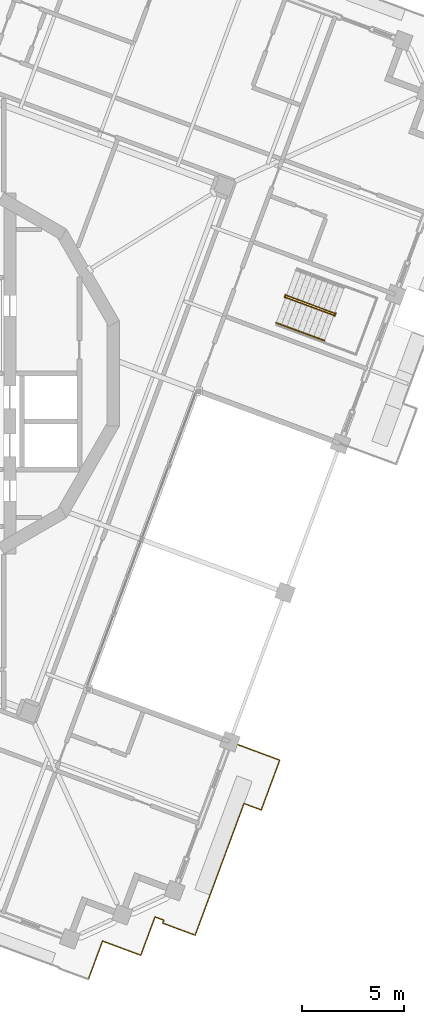
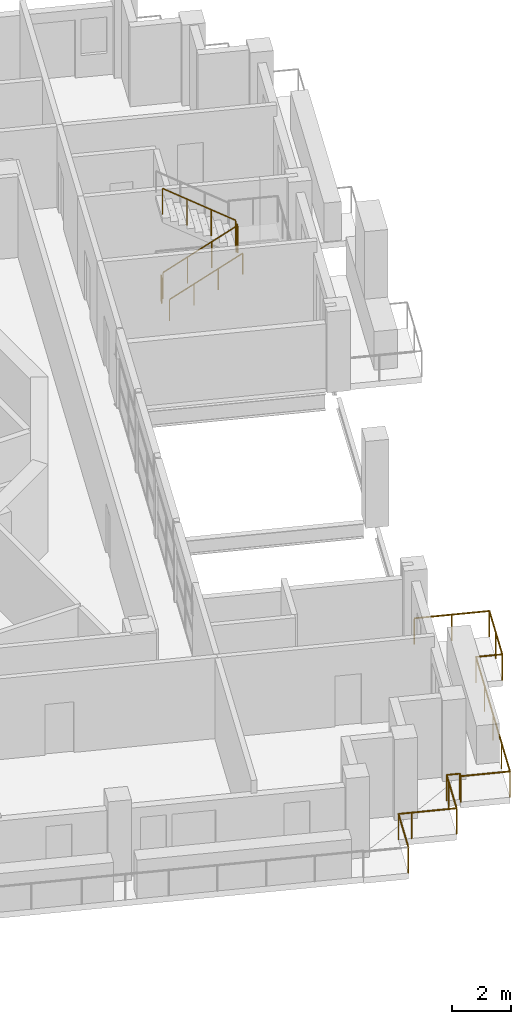
# One storey, part 15 of 19: 5 railings.
"""IFC4 building model written with IfcOpenShell, lengths in metres."""

from ifc_helpers import new_model, si_unit, direction, frame, origin, origin_2d, place, context, subcontext, project, spatial, circle, extrude, material, type_object, element, save


model = new_model("IFC4")

# Units and contexts
model_context = context("Model", 3, precision=1e-05, world=origin(), true_north=direction((0.0, 1.0)))
body_context = subcontext(model_context, "Body", "Model", "MODEL_VIEW")
ifc_project = project(units=[si_unit("LENGTHUNIT", "METRE"), si_unit("AREAUNIT", "SQUARE_METRE"), si_unit("VOLUMEUNIT", "CUBIC_METRE"), si_unit("PLANEANGLEUNIT", "RADIAN"), si_unit("MASSUNIT", "GRAM", prefix="KILO")], contexts=[model_context])

# Site, building, storey
site_placement = place(None, origin())
site = spatial("IfcSite", under=ifc_project, at=site_placement, CompositionType="ELEMENT")
building_placement = place(site_placement, origin())
building = spatial("IfcBuilding", under=site, at=building_placement, Name="Cantera Rosa Tower", CompositionType="ELEMENT")
storey_placement = place(building_placement, frame((0.0, 0.0, 334.89990234375)))
storey = spatial("IfcBuildingStorey", under=building, at=storey_placement, Name="L75", CompositionType="ELEMENT", Elevation=334.89990234375)

# Railings
ifc_material_1 = material(Name="Stainless steel and laminated glass", Category="steel")
railing_type_1 = type_object("IfcRailingType", Name="GUARD 1100", PredefinedType="BALUSTRADE", material=ifc_material_1)
railing_1_placement = place(storey_placement, frame((15.092529296875, -18.038330078125, 0.0)))
element("IfcRailing", 1, at=railing_1_placement, inside=storey, type_object=railing_type_1, Name="GUARD L75-2", PredefinedType="BALUSTRADE", context=body_context, shape_type="SweptSolid", body=[
    extrude(circle(Radius=0.030029296875, at=origin_2d()), frame((0.0, 0.0, 1.070068359375), z_axis=(0.937680398266, -0.347498878713, 0.0), x_axis=(0.347498878713, 0.937680398266, 0.0)), (0.0, 0.0, 1.0), 2.58544921875),
    extrude(circle(Radius=0.030029296875, at=origin_2d()), frame((2.42431640625, -0.8984375, 1.070068359375), z_axis=(-0.347537126159, -0.937666223099, 0.0), x_axis=(0.937666223099, -0.347537126159, 0.0)), (0.0, 0.0, 1.0), 2.60546875),
    extrude(circle(Radius=0.030029296875, at=origin_2d()), frame((1.518798828125, -3.341552734375, 1.070068359375), z_axis=(-0.937641368545, 0.34760417718, 0.0), x_axis=(-0.34760417718, -0.937641368545, 0.0)), (0.0, 0.0, 1.0), 0.9052734375),
    extrude(circle(Radius=0.030029296875, at=origin_2d()), frame((0.669921875, -3.02685546875, 1.070068359375), z_axis=(-0.347493627455, -0.937682344335, 0.0), x_axis=(0.937682344335, -0.347493627455, 0.0)), (0.0, 0.0, 1.0), 6.874755859375),
    extrude(circle(Radius=0.030029296875, at=origin_2d()), frame((-1.718994140625, -9.47314453125, 1.070068359375), z_axis=(-0.93766211216, 0.347548217403, 0.0), x_axis=(-0.347548217403, -0.93766211216, 0.0)), (0.0, 0.0, 1.0), 1.699951171875),
    extrude(circle(Radius=0.030029296875, at=origin_2d()), frame((-3.31298828125, -8.88232421875, 1.070068359375), z_axis=(0.348345544994, 0.937366193802, 0.0), x_axis=(-0.937366193802, 0.348345544994, 0.0)), (0.0, 0.0, 1.0), 0.154296875),
    extrude(circle(Radius=0.030029296875, at=origin_2d()), frame((-3.25927734375, -8.73779296875, 1.070068359375), z_axis=(-0.937800612421, 0.34717432414, 0.0), x_axis=(-0.34717432414, -0.937800612421, 0.0)), (0.0, 0.0, 1.0), 0.454345703125),
    extrude(circle(Radius=0.030029296875, at=origin_2d()), frame((-3.685302734375, -8.580078125, 1.070068359375), z_axis=(-0.347349380186, -0.937735787994, 0.0), x_axis=(0.937735787994, -0.347349380186, 0.0)), (0.0, 0.0, 1.0), 0.4541015625),
    extrude(circle(Radius=0.030029296875, at=origin_2d()), frame((-3.843017578125, -9.005859375, 1.070068359375), z_axis=(-0.347468671564, -0.937691592306, 0.0), x_axis=(0.937691592306, -0.347468671564, 0.0)), (0.0, 0.0, 1.0), 1.5458984375),
    extrude(circle(Radius=0.030029296875, at=origin_2d()), frame((-4.380126953125, -10.455322265625, 1.070068359375), z_axis=(-0.937691592306, 0.347468671564, 0.0), x_axis=(-0.347468671564, -0.937691592306, 0.0)), (0.0, 0.0, 1.0), 1.5458984375),
    extrude(circle(Radius=0.030029296875, at=origin_2d()), frame((-5.82958984375, -9.918212890625, 1.070068359375), z_axis=(-0.937625552155, 0.347646837962, 0.0), x_axis=(-0.347646837962, -0.937625552155, 0.0)), (0.0, 0.0, 1.0), 0.454345703125),
    extrude(circle(Radius=0.030029296875, at=origin_2d()), frame((-6.255615234375, -9.76025390625, 1.070068359375), z_axis=(-0.347401818267, -0.937716362588, 0.0), x_axis=(0.937716362588, -0.347401818267, 0.0)), (0.0, 0.0, 1.0), 2.0),
    extrude(circle(Radius=0.02490234375, at=origin_2d()), origin(), (0.0, 0.0, 1.0), 1.0400390625),
    extrude(circle(Radius=0.02490234375, at=origin_2d()), frame((1.212158203125, -0.44921875, 0.0)), (0.0, 0.0, 1.0), 1.0400390625),
    extrude(circle(Radius=0.02490234375, at=origin_2d()), frame((2.42431640625, -0.8984375, 0.0)), (0.0, 0.0, 1.0), 1.0400390625),
    extrude(circle(Radius=0.02490234375, at=origin_2d()), frame((1.9716796875, -2.1201171875, 0.0)), (0.0, 0.0, 1.0), 1.0400390625),
    extrude(circle(Radius=0.02490234375, at=origin_2d()), frame((1.518798828125, -3.341552734375, 0.0)), (0.0, 0.0, 1.0), 1.0400390625),
    extrude(circle(Radius=0.02490234375, at=origin_2d()), frame((0.669921875, -3.02685546875, 0.0)), (0.0, 0.0, 1.0), 1.0400390625),
    extrude(circle(Radius=0.02490234375, at=origin_2d()), frame((0.07275390625, -4.638427734375, 0.0)), (0.0, 0.0, 1.0), 1.0400390625),
    extrude(circle(Radius=0.02490234375, at=origin_2d()), frame((-0.5244140625, -6.25, 0.0)), (0.0, 0.0, 1.0), 1.0400390625),
    extrude(circle(Radius=0.02490234375, at=origin_2d()), frame((-1.121826171875, -7.861572265625, 0.0)), (0.0, 0.0, 1.0), 1.0400390625),
    extrude(circle(Radius=0.02490234375, at=origin_2d()), frame((-1.718994140625, -9.47314453125, 0.0)), (0.0, 0.0, 1.0), 1.0400390625),
    extrude(circle(Radius=0.02490234375, at=origin_2d()), frame((-3.31298828125, -8.88232421875, 0.0)), (0.0, 0.0, 1.0), 1.0400390625),
    extrude(circle(Radius=0.02490234375, at=origin_2d()), frame((-3.25927734375, -8.73779296875, 0.0)), (0.0, 0.0, 1.0), 1.0400390625),
    extrude(circle(Radius=0.02490234375, at=origin_2d()), frame((-3.685302734375, -8.580078125, 0.0)), (0.0, 0.0, 1.0), 1.0400390625),
    extrude(circle(Radius=0.02490234375, at=origin_2d()), frame((-3.843017578125, -9.005859375, 0.0)), (0.0, 0.0, 1.0), 1.0400390625),
    extrude(circle(Radius=0.02490234375, at=origin_2d()), frame((-4.380126953125, -10.455322265625, 0.0)), (0.0, 0.0, 1.0), 1.0400390625),
    extrude(circle(Radius=0.02490234375, at=origin_2d()), frame((-5.82958984375, -9.918212890625, 0.0)), (0.0, 0.0, 1.0), 1.0400390625),
    extrude(circle(Radius=0.02490234375, at=origin_2d()), frame((-6.255615234375, -9.76025390625, 0.0)), (0.0, 0.0, 1.0), 1.0400390625),
    extrude(circle(Radius=0.02490234375, at=origin_2d()), frame((-6.950439453125, -11.6357421875, 0.0)), (0.0, 0.0, 1.0), 1.0400390625),
])
ifc_material_2 = material(Name="Steel S355J2 (EN 10025-2)", Category="steel")
railing_type_2 = type_object("IfcRailingType", Name="STAIR GUARD 1100", PredefinedType="GUARDRAIL", material=ifc_material_2)
railing_2_placement = place(storey_placement, frame((17.802490234375, 3.721923828125, 0.18017578125)))
element("IfcRailing", 2, at=railing_2_placement, inside=storey, type_object=railing_type_2, Name="L75 ST-61 stair guard 1", PredefinedType="GUARDRAIL", context=body_context, shape_type="SweptSolid", body=[
    extrude(circle(Radius=0.02392578125, at=origin_2d()), frame((0.0, 0.0, 1.076171875), z_axis=(0.78878233546, -0.292319685639, 0.540713998944), x_axis=(0.347500508527, 0.937679794265, 0.0)), (0.0, 0.0, 1.0), 2.995849609375),
    extrude(circle(Radius=0.02392578125, at=origin_2d()), frame((2.363037109375, -0.875732421875, 2.69580078125), z_axis=(0.671593765389, -0.740919573429, 0.0), x_axis=(0.740919573429, 0.671593765389, 0.0)), (0.0, 0.0, 1.0), 0.056396484375),
    extrude(circle(Radius=0.02392578125, at=origin_2d()), frame((2.40087890625, -0.91748046875, 2.69580078125), z_axis=(0.348268249601, 0.937394914814, 0.0), x_axis=(-0.937394914814, 0.348268249601, 0.0)), (0.0, 0.0, 1.0), 0.14990234375),
    extrude(circle(Radius=0.02099609375, at=origin_2d()), origin(), (0.0, 0.0, 1.0), 1.052001953125),
    extrude(circle(Radius=0.02099609375, at=origin_2d()), frame((0.78759765625, -0.2919921875, 0.5400390625)), (0.0, 0.0, 1.0), 1.052001953125),
    extrude(circle(Radius=0.02099609375, at=origin_2d()), frame((1.575439453125, -0.583740234375, 1.079833984375)), (0.0, 0.0, 1.0), 1.052001953125),
    extrude(circle(Radius=0.02099609375, at=origin_2d()), frame((2.363037109375, -0.875732421875, 1.619873046875)), (0.0, 0.0, 1.0), 1.052001953125),
    extrude(circle(Radius=0.02099609375, at=origin_2d()), frame((2.40087890625, -0.91748046875, 1.619873046875)), (0.0, 0.0, 1.0), 1.052001953125),
    extrude(circle(Radius=0.02099609375, at=origin_2d()), frame((2.453125, -0.77685546875, 1.619873046875)), (0.0, 0.0, 1.0), 1.052001953125),
])
railing_3_placement = place(storey_placement, frame((20.19970703125, 2.93798828125, 1.97998046875)))
element("IfcRailing", 3, at=railing_3_placement, inside=storey, type_object=railing_type_2, Name="L75 ST-61 stair guard 2", PredefinedType="GUARDRAIL", context=body_context, shape_type="SweptSolid", body=[
    extrude(circle(Radius=0.02392578125, at=origin_2d()), frame((0.0, 0.0, 1.076171875), z_axis=(-0.788747577403, 0.292306804437, 0.540771662738), x_axis=(-0.347500508527, -0.937679794265, 0.0)), (0.0, 0.0, 1.0), 2.995849609375),
    extrude(circle(Radius=0.02099609375, at=origin_2d()), origin(), (0.0, 0.0, 1.0), 1.052001953125),
    extrude(circle(Radius=0.02099609375, at=origin_2d()), frame((-0.78759765625, 0.2919921875, 0.5400390625)), (0.0, 0.0, 1.0), 1.052001953125),
    extrude(circle(Radius=0.02099609375, at=origin_2d()), frame((-1.575439453125, 0.583740234375, 1.080078125)), (0.0, 0.0, 1.0), 1.052001953125),
    extrude(circle(Radius=0.02099609375, at=origin_2d()), frame((-2.363037109375, 0.875732421875, 1.6201171875)), (0.0, 0.0, 1.0), 1.052001953125),
])
railing_4_placement = place(storey_placement, frame((17.74658203125, 3.71484375, 0.0)))
element("IfcRailing", 4, at=railing_4_placement, inside=storey, type_object=railing_type_2, Name="L75 ST-61 stair guard 3", PredefinedType="GUARDRAIL", context=body_context, shape_type="SweptSolid", body=[
    extrude(circle(Radius=0.02392578125, at=origin_2d()), frame((0.0, 0.0, 1.076171875), z_axis=(0.348268249601, 0.937394914814, 0.0), x_axis=(-0.937394914814, 0.348268249601, 0.0)), (0.0, 0.0, 1.0), 0.14990234375),
    extrude(circle(Radius=0.02099609375, at=origin_2d()), origin(), (0.0, 0.0, 1.0), 1.052001953125),
    extrude(circle(Radius=0.02099609375, at=origin_2d()), frame((0.05224609375, 0.140625, 0.0)), (0.0, 0.0, 1.0), 1.052001953125),
])
ifc_material_3 = material(Name="Steel S355J2 (EN 10025-2)", Category="steel")
railing_type_3 = type_object("IfcRailingType", Name="STAIR HANDRAIL 900", PredefinedType="HANDRAIL", material=ifc_material_3)
railing_5_placement = place(storey_placement, frame((17.341796875, 2.478515625, 0.18017578125)))
element("IfcRailing", 5, at=railing_5_placement, inside=storey, type_object=railing_type_3, Name="L75 ST-61 stair handrail 1", PredefinedType="HANDRAIL", context=body_context, shape_type="SweptSolid", body=[
    extrude(circle(Radius=0.02392578125, at=origin_2d()), frame((0.0, 0.0, 0.8759765625), z_axis=(0.78878233546, -0.292319685639, 0.540713998944), x_axis=(0.347500508527, 0.937679794265, 0.0)), (0.0, 0.0, 1.0), 2.995849609375),
    extrude(circle(Radius=0.02099609375, at=origin_2d()), origin(), (0.0, 0.0, 1.0), 0.851806640625),
    extrude(circle(Radius=0.02099609375, at=origin_2d()), frame((0.78759765625, -0.2919921875, 0.5400390625)), (0.0, 0.0, 1.0), 0.851806640625),
    extrude(circle(Radius=0.02099609375, at=origin_2d()), frame((1.575439453125, -0.583740234375, 1.079833984375)), (0.0, 0.0, 1.0), 0.851806640625),
    extrude(circle(Radius=0.02099609375, at=origin_2d()), frame((2.363037109375, -0.875732421875, 1.619873046875)), (0.0, 0.0, 1.0), 0.851806640625),
])

save(model, "model.ifc")
